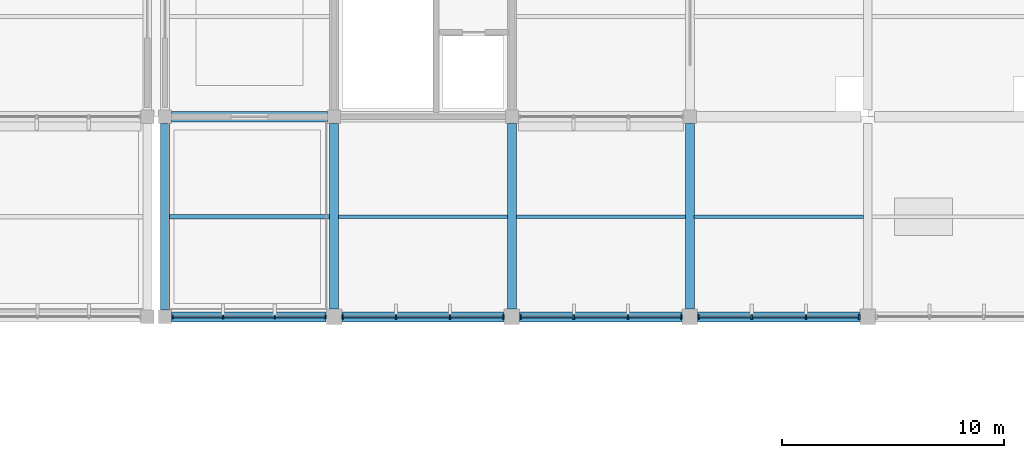
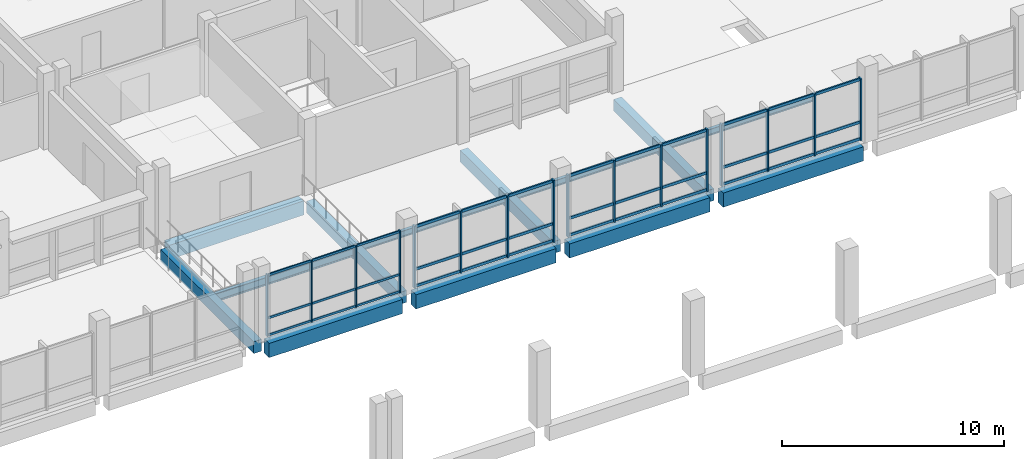
# One storey, part 37 of 70: 52 members, 13 beams, 4 elements without a shape of their own.
"""IFC4 building model written with IfcOpenShell, lengths in metres."""

from ifc_helpers import new_model, si_unit, direction, frame, origin, origin_2d, place, context, subcontext, project, spatial, rectangle, i_section, extrude, material, material_profile, profile_set, type_object, element, aggregate, save


model = new_model("IFC4")

# Units and contexts
model_context = context("Model", 3, precision=1e-05, world=origin(), true_north=direction((0.0, 1.0)))
body_context = subcontext(model_context, "Body", "Model", "MODEL_VIEW")
ifc_project = project(units=[si_unit("LENGTHUNIT", "METRE"), si_unit("AREAUNIT", "SQUARE_METRE"), si_unit("VOLUMEUNIT", "CUBIC_METRE"), si_unit("PLANEANGLEUNIT", "RADIAN"), si_unit("MASSUNIT", "GRAM", prefix="KILO"), si_unit("THERMODYNAMICTEMPERATUREUNIT", "KELVIN"), si_unit("POWERUNIT", "WATT")], contexts=[model_context])

# Site, building, storey
site_placement = place(None, origin())
site = spatial("IfcSite", under=ifc_project, at=site_placement, CompositionType="ELEMENT")
building_placement = place(site_placement, origin())
building = spatial("IfcBuilding", under=site, at=building_placement, Name="Kronsvod Quay Wholesale Market", CompositionType="ELEMENT")
storey_placement = place(building_placement, frame((0.0, 0.0, 9.0)))
storey = spatial("IfcBuildingStorey", under=building, at=storey_placement, Name="L02", CompositionType="ELEMENT", Elevation=9.0)

# Beams
ifc_material_1 = material(Name="Precast concrete C40/50", Category="concrete")
ifc_material_profile_1 = material_profile(ifc_material_1, rectangle(XDim=0.39990234375, YDim=0.64990234375, at=origin_2d()), Name="PCB400x650")
ifc_profile_set_1 = profile_set([ifc_material_profile_1], Name="Precast concrete C40/50")
beam_type_1 = type_object("IfcBeamType", Name="Beam_PCB400x650", PredefinedType="BEAM", material=ifc_profile_set_1)
beam_1_placement = place(storey_placement, frame((128.39990234375, 90.300048828125, -0.635009765625), z_axis=(0.0, 1.0, 0.0), x_axis=(-1.0, 0.0, 0.0)))
element("IfcBeam", 1, at=beam_1_placement, inside=storey, type_object=beam_type_1, Name="BMY-L02-1284-900", PredefinedType="BEAM", context=body_context, shape_type="SweptSolid", body=[
    extrude(rectangle(XDim=0.39990234375, YDim=0.64990234375, at=origin_2d()), origin(), (0.0, 0.0, 1.0), 8.39990234375),
])
for number, where, z_axis, x_axis, name in (
    (2, (136.0, 90.35009765625, -0.635009765625), (0.0, 1.0, 0.0), (-1.0, 0.0, 0.0), "BMY-L02-1360-900"),
    (3, (144.0, 90.35009765625, -0.635009765625), (0.0, 1.0, 0.0), (-1.0, 0.0, 0.0), "BMY-L02-1440-900"),
    (4, (152.0, 90.35009765625, -0.635009765625), (0.0, 1.0, 0.0), (-1.0, 0.0, 0.0), "BMY-L02-1520-900"),
):
    element("IfcBeam", number, at=place(storey_placement, frame(where, z_axis=z_axis, x_axis=x_axis)), inside=storey, type_object=beam_type_1, Name=name, PredefinedType="BEAM", context=body_context, shape_type="SweptSolid", body=[
        extrude(rectangle(XDim=0.39990234375, YDim=0.64990234375, at=origin_2d()), origin(), (0.0, 0.0, 1.0), 8.349853515625),
    ])
ifc_material_2 = material(Name="Precast concrete C40/50", Category="concrete")
ifc_material_profile_2 = material_profile(ifc_material_2, rectangle(XDim=0.4599609375, YDim=0.780029296875, at=origin_2d()), Name="PB-03")
ifc_profile_set_2 = profile_set([ifc_material_profile_2], Name="Precast concrete C40/50")
beam_type_2 = type_object("IfcBeamType", Name="Beam_PCB460x780", PredefinedType="BEAM", material=ifc_profile_set_2)
beam_2_placement = place(storey_placement, frame((128.699951171875, 90.0, -0.64990234375), z_axis=(1.0, 0.0, 0.0), x_axis=(0.0, 1.0, 0.0)))
element("IfcBeam", 5, at=beam_2_placement, inside=storey, type_object=beam_type_2, Name="BMX-L02-1284-900", PredefinedType="BEAM", context=body_context, shape_type="SweptSolid", body=[
    extrude(rectangle(XDim=0.4599609375, YDim=0.780029296875, at=origin_2d()), origin(), (0.0, 0.0, 1.0), 6.949951171875),
])
for number, where, z_axis, x_axis, name in (
    (6, (136.35009765625, 90.0, -0.64990234375), (1.0, 0.0, 0.0), (0.0, 1.0, 0.0), "BMX-L02-1360-900"),
    (7, (144.35009765625, 90.0, -0.64990234375), (1.0, 0.0, 0.0), (0.0, 1.0, 0.0), "BMX-L02-1440-900"),
    (8, (152.35009765625, 90.0, -0.64990234375), (1.0, 0.0, 0.0), (0.0, 1.0, 0.0), "BMX-L02-1520-900"),
):
    element("IfcBeam", number, at=place(storey_placement, frame(where, z_axis=z_axis, x_axis=x_axis)), inside=storey, type_object=beam_type_2, Name=name, PredefinedType="BEAM", context=body_context, shape_type="SweptSolid", body=[
        extrude(rectangle(XDim=0.4599609375, YDim=0.780029296875, at=origin_2d()), origin(), (0.0, 0.0, 1.0), 7.2998046875),
    ])
beam_3_placement = place(storey_placement, frame((128.699951171875, 99.0, -0.699951171875), z_axis=(1.0, 0.0, 0.0), x_axis=(0.0, 1.0, 0.0)))
element("IfcBeam", 9, at=beam_3_placement, inside=storey, type_object=beam_type_2, Name="BMX-L02-1284-990", PredefinedType="BEAM", context=body_context, shape_type="SweptSolid", body=[
    extrude(rectangle(XDim=0.4599609375, YDim=0.780029296875, at=origin_2d()), origin(), (0.0, 0.0, 1.0), 7.0),
])
ifc_material_3 = material(Name="Steel S355", Category="steel")
ifc_material_profile_3 = material_profile(ifc_material_3, i_section(OverallWidth=0.198974609375, OverallDepth=0.446044921875, WebThickness=0.008056640625, FlangeThickness=0.011962890625, FilletRadius=0.01806640625, at=origin_2d()), Name="45B1")
ifc_profile_set_3 = profile_set([ifc_material_profile_3], Name="Steel S355")
beam_type_3 = type_object("IfcBeamType", Name="Beam_Steel45B1", PredefinedType="BEAM", material=ifc_profile_set_3)
beam_4_placement = place(storey_placement, frame((128.594970703125, 94.5, -0.532958984375), z_axis=(1.0, 0.0, 0.0), x_axis=(0.0, 1.0, 0.0)))
element("IfcBeam", 10, at=beam_4_placement, inside=storey, type_object=beam_type_3, Name="JSTX-L02-1284-900", PredefinedType="BEAM", context=body_context, shape_type="SweptSolid", body=[
    extrude(i_section(OverallWidth=0.198974609375, OverallDepth=0.446044921875, WebThickness=0.008056640625, FlangeThickness=0.011962890625, FilletRadius=0.01806640625, at=origin_2d()), origin(), (0.0, 0.0, 1.0), 7.2099609375),
])
ifc_material_4 = material(Name="Steel S355", Category="steel")
ifc_material_profile_4 = material_profile(ifc_material_4, i_section(OverallWidth=0.174072265625, OverallDepth=0.345947265625, WebThickness=0.006103515625, FlangeThickness=0.009033203125, FilletRadius=0.013916015625, at=origin_2d()), Name="35B1")
ifc_profile_set_4 = profile_set([ifc_material_profile_4], Name="Steel S355")
beam_type_4 = type_object("IfcBeamType", Name="Joist_Steel35B1", PredefinedType="JOIST", material=ifc_profile_set_4)
for number, where, z_axis, x_axis, name in (
    (11, (136.195068359375, 94.5, -0.43310546875), (1.0, 0.0, 0.0), (0.0, 1.0, 0.0), "JSTX-L02-1360-900"),
    (12, (144.195068359375, 94.5, -0.43310546875), (1.0, 0.0, 0.0), (0.0, 1.0, 0.0), "JSTX-L02-1440-900"),
    (13, (152.195068359375, 94.5, -0.43310546875), (1.0, 0.0, 0.0), (0.0, 1.0, 0.0), "JSTX-L02-1520-900"),
):
    element("IfcBeam", number, at=place(storey_placement, frame(where, z_axis=z_axis, x_axis=x_axis)), inside=storey, type_object=beam_type_4, Name=name, PredefinedType="JOIST", context=body_context, shape_type="SweptSolid", body=[
        extrude(i_section(OverallWidth=0.174072265625, OverallDepth=0.345947265625, WebThickness=0.006103515625, FlangeThickness=0.009033203125, FilletRadius=0.013916015625, at=origin_2d()), origin(), (0.0, 0.0, 1.0), 7.60986328125),
    ])

# Curtain wall, members
ifc_material_5 = material(Name="Thermally broken aluminium and triple low-E glazing", Category="aluminium")
curtain_wall_type = type_object("IfcCurtainWallType", Name="CW_Clerestory80x32", PredefinedType="NOTDEFINED", material=ifc_material_5)
curtain_wall_1_placement = place(storey_placement, origin())
curtain_wall_1 = element("IfcCurtainWall", 14, at=curtain_wall_1_placement, inside=storey, type_object=curtain_wall_type, Name="CWGX-L02-1284-900", PredefinedType="NOTDEFINED")
ifc_material_6 = material(Name="Anodised aluminium", Category="aluminium")
ifc_material_profile_5 = material_profile(ifc_material_6, rectangle(XDim=0.06494140625, YDim=0.159912109375, at=origin_2d()), Name="ALUM65x160")
ifc_profile_set_5 = profile_set([ifc_material_profile_5], Name="Anodised aluminium")
member_type_1 = type_object("IfcMemberType", Name="Mullion_ALU65x160", PredefinedType="MULLION", material=ifc_profile_set_5)
member_1_placement = place(storey_placement, frame((135.62255859375, 90.0, 0.0), z_axis=(0.0, 0.0, 1.0), x_axis=(1.0, 0.0, 0.0)))
member_1 = element("IfcMember", 15, at=member_1_placement, type_object=member_type_1, Name="CWGX-L02-1284-900-M1", PredefinedType="MULLION", context=body_context, shape_type="SweptSolid", body=[
    extrude(rectangle(XDim=0.06494140625, YDim=0.159912109375, at=origin_2d()), origin(), (0.0, 0.0, 1.0), 3.419921875),
])
member_2_placement = place(storey_placement, frame((133.3349609375, 90.0, 0.0), z_axis=(0.0, 0.0, 1.0), x_axis=(1.0, 0.0, 0.0)))
member_2 = element("IfcMember", 16, at=member_2_placement, type_object=member_type_1, Name="CWGX-L02-1284-900-M2", PredefinedType="MULLION", context=body_context, shape_type="SweptSolid", body=[
    extrude(rectangle(XDim=0.06494140625, YDim=0.159912109375, at=origin_2d()), origin(), (0.0, 0.0, 1.0), 3.419921875),
])
member_3_placement = place(storey_placement, frame((131.014892578125, 90.0, 0.0), z_axis=(0.0, 0.0, 1.0), x_axis=(1.0, 0.0, 0.0)))
member_3 = element("IfcMember", 17, at=member_3_placement, type_object=member_type_1, Name="CWGX-L02-1284-900-M3", PredefinedType="MULLION", context=body_context, shape_type="SweptSolid", body=[
    extrude(rectangle(XDim=0.06494140625, YDim=0.159912109375, at=origin_2d()), origin(), (0.0, 0.0, 1.0), 3.419921875),
])
member_4_placement = place(storey_placement, frame((128.7275390625, 90.0, 0.0), z_axis=(0.0, 0.0, 1.0), x_axis=(1.0, 0.0, 0.0)))
member_4 = element("IfcMember", 18, at=member_4_placement, type_object=member_type_1, Name="CWGX-L02-1284-900-M4", PredefinedType="MULLION", context=body_context, shape_type="SweptSolid", body=[
    extrude(rectangle(XDim=0.06494140625, YDim=0.159912109375, at=origin_2d()), origin(), (0.0, 0.0, 1.0), 3.419921875),
])

curtain_wall_2_placement = place(storey_placement, origin())
curtain_wall_2 = element("IfcCurtainWall", 19, at=curtain_wall_2_placement, inside=storey, type_object=curtain_wall_type, Name="CWGX-L02-1360-900", PredefinedType="NOTDEFINED")
ifc_material_7 = material(Name="Anodised aluminium", Category="aluminium")
ifc_material_profile_6 = material_profile(ifc_material_7, rectangle(XDim=0.074951171875, YDim=0.199951171875, at=origin_2d()), Name="ALUM75x200")
ifc_profile_set_6 = profile_set([ifc_material_profile_6], Name="Anodised aluminium")
member_type_2 = type_object("IfcMemberType", Name="Mullion_ALU75x200", PredefinedType="MULLION", material=ifc_profile_set_6)
member_5_placement = place(storey_placement, frame((143.617431640625, 90.0, 0.0), z_axis=(0.0, 0.0, 1.0), x_axis=(1.0, 0.0, 0.0)))
member_5 = element("IfcMember", 20, at=member_5_placement, type_object=member_type_2, Name="CWGX-L02-1360-900-M1", PredefinedType="MULLION", context=body_context, shape_type="SweptSolid", body=[
    extrude(rectangle(XDim=0.074951171875, YDim=0.199951171875, at=origin_2d()), origin(), (0.0, 0.0, 1.0), 3.419921875),
])
member_6_placement = place(storey_placement, frame((141.21826171875, 90.0, 0.0), z_axis=(0.0, 0.0, 1.0), x_axis=(1.0, 0.0, 0.0)))
member_6 = element("IfcMember", 21, at=member_6_placement, type_object=member_type_2, Name="CWGX-L02-1360-900-M2", PredefinedType="MULLION", context=body_context, shape_type="SweptSolid", body=[
    extrude(rectangle(XDim=0.074951171875, YDim=0.199951171875, at=origin_2d()), origin(), (0.0, 0.0, 1.0), 3.419921875),
])
member_7_placement = place(storey_placement, frame((138.78173828125, 90.0, 0.0), z_axis=(0.0, 0.0, 1.0), x_axis=(1.0, 0.0, 0.0)))
member_7 = element("IfcMember", 22, at=member_7_placement, type_object=member_type_2, Name="CWGX-L02-1360-900-M3", PredefinedType="MULLION", context=body_context, shape_type="SweptSolid", body=[
    extrude(rectangle(XDim=0.074951171875, YDim=0.199951171875, at=origin_2d()), origin(), (0.0, 0.0, 1.0), 3.419921875),
])
member_8_placement = place(storey_placement, frame((136.382568359375, 90.0, 0.0), z_axis=(0.0, 0.0, 1.0), x_axis=(1.0, 0.0, 0.0)))
member_8 = element("IfcMember", 23, at=member_8_placement, type_object=member_type_2, Name="CWGX-L02-1360-900-M4", PredefinedType="MULLION", context=body_context, shape_type="SweptSolid", body=[
    extrude(rectangle(XDim=0.074951171875, YDim=0.199951171875, at=origin_2d()), origin(), (0.0, 0.0, 1.0), 3.419921875),
])

curtain_wall_3_placement = place(storey_placement, origin())
curtain_wall_3 = element("IfcCurtainWall", 24, at=curtain_wall_3_placement, inside=storey, type_object=curtain_wall_type, Name="CWGX-L02-1440-900", PredefinedType="NOTDEFINED")
member_9_placement = place(storey_placement, frame((151.617431640625, 90.0, 0.0), z_axis=(0.0, 0.0, 1.0), x_axis=(1.0, 0.0, 0.0)))
member_9 = element("IfcMember", 25, at=member_9_placement, type_object=member_type_2, Name="CWGX-L02-1440-900-M1", PredefinedType="MULLION", context=body_context, shape_type="SweptSolid", body=[
    extrude(rectangle(XDim=0.074951171875, YDim=0.199951171875, at=origin_2d()), origin(), (0.0, 0.0, 1.0), 3.419921875),
])
member_10_placement = place(storey_placement, frame((149.21826171875, 90.0, 0.0), z_axis=(0.0, 0.0, 1.0), x_axis=(1.0, 0.0, 0.0)))
member_10 = element("IfcMember", 26, at=member_10_placement, type_object=member_type_2, Name="CWGX-L02-1440-900-M2", PredefinedType="MULLION", context=body_context, shape_type="SweptSolid", body=[
    extrude(rectangle(XDim=0.074951171875, YDim=0.199951171875, at=origin_2d()), origin(), (0.0, 0.0, 1.0), 3.419921875),
])
member_11_placement = place(storey_placement, frame((146.78173828125, 90.0, 0.0), z_axis=(0.0, 0.0, 1.0), x_axis=(1.0, 0.0, 0.0)))
member_11 = element("IfcMember", 27, at=member_11_placement, type_object=member_type_2, Name="CWGX-L02-1440-900-M3", PredefinedType="MULLION", context=body_context, shape_type="SweptSolid", body=[
    extrude(rectangle(XDim=0.074951171875, YDim=0.199951171875, at=origin_2d()), origin(), (0.0, 0.0, 1.0), 3.419921875),
])
member_12_placement = place(storey_placement, frame((144.382568359375, 90.0, 0.0), z_axis=(0.0, 0.0, 1.0), x_axis=(1.0, 0.0, 0.0)))
member_12 = element("IfcMember", 28, at=member_12_placement, type_object=member_type_2, Name="CWGX-L02-1440-900-M4", PredefinedType="MULLION", context=body_context, shape_type="SweptSolid", body=[
    extrude(rectangle(XDim=0.074951171875, YDim=0.199951171875, at=origin_2d()), origin(), (0.0, 0.0, 1.0), 3.419921875),
])

curtain_wall_4_placement = place(storey_placement, origin())
curtain_wall_4 = element("IfcCurtainWall", 29, at=curtain_wall_4_placement, inside=storey, type_object=curtain_wall_type, Name="CWGX-L02-1520-900", PredefinedType="NOTDEFINED")
member_13_placement = place(storey_placement, frame((159.617431640625, 90.0, 0.0), z_axis=(0.0, 0.0, 1.0), x_axis=(1.0, 0.0, 0.0)))
member_13 = element("IfcMember", 30, at=member_13_placement, type_object=member_type_2, Name="CWGX-L02-1520-900-M1", PredefinedType="MULLION", context=body_context, shape_type="SweptSolid", body=[
    extrude(rectangle(XDim=0.074951171875, YDim=0.199951171875, at=origin_2d()), origin(), (0.0, 0.0, 1.0), 3.419921875),
])
member_14_placement = place(storey_placement, frame((157.21826171875, 90.0, 0.0), z_axis=(0.0, 0.0, 1.0), x_axis=(1.0, 0.0, 0.0)))
member_14 = element("IfcMember", 31, at=member_14_placement, type_object=member_type_2, Name="CWGX-L02-1520-900-M2", PredefinedType="MULLION", context=body_context, shape_type="SweptSolid", body=[
    extrude(rectangle(XDim=0.074951171875, YDim=0.199951171875, at=origin_2d()), origin(), (0.0, 0.0, 1.0), 3.419921875),
])
member_15_placement = place(storey_placement, frame((154.78173828125, 90.0, 0.0), z_axis=(0.0, 0.0, 1.0), x_axis=(1.0, 0.0, 0.0)))
member_15 = element("IfcMember", 32, at=member_15_placement, type_object=member_type_2, Name="CWGX-L02-1520-900-M3", PredefinedType="MULLION", context=body_context, shape_type="SweptSolid", body=[
    extrude(rectangle(XDim=0.074951171875, YDim=0.199951171875, at=origin_2d()), origin(), (0.0, 0.0, 1.0), 3.419921875),
])
member_16_placement = place(storey_placement, frame((152.382568359375, 90.0, 0.0), z_axis=(0.0, 0.0, 1.0), x_axis=(1.0, 0.0, 0.0)))
member_16 = element("IfcMember", 33, at=member_16_placement, type_object=member_type_2, Name="CWGX-L02-1520-900-M4", PredefinedType="MULLION", context=body_context, shape_type="SweptSolid", body=[
    extrude(rectangle(XDim=0.074951171875, YDim=0.199951171875, at=origin_2d()), origin(), (0.0, 0.0, 1.0), 3.419921875),
])

# Member
ifc_material_8 = material(Name="Anodised aluminium", Category="aluminium")
ifc_material_profile_7 = material_profile(ifc_material_8, rectangle(XDim=0.06494140625, YDim=0.1201171875, at=origin_2d()), Name="ALUT65x120")
ifc_profile_set_7 = profile_set([ifc_material_profile_7], Name="Anodised aluminium")
member_type_3 = type_object("IfcMemberType", Name="Transom_ALU65x120", PredefinedType="USERDEFINED", material=ifc_profile_set_7)
member_17_placement = place(storey_placement, frame((135.590087890625, 90.0, 0.06005859375), z_axis=(-1.0, 0.0, 0.0), x_axis=(0.0, -1.0, 0.0)))
member_17 = element("IfcMember", 34, at=member_17_placement, type_object=member_type_3, Name="CWGX-L02-1284-900-T1B1", ObjectType="TRANSOM", PredefinedType="USERDEFINED", context=body_context, shape_type="SweptSolid", body=[
    extrude(rectangle(XDim=0.06494140625, YDim=0.1201171875, at=origin_2d()), origin(), (0.0, 0.0, 1.0), 2.22265625),
])

member_18_placement = place(storey_placement, frame((133.302490234375, 90.0, 0.06005859375), z_axis=(-1.0, 0.0, 0.0), x_axis=(0.0, -1.0, 0.0)))
member_18 = element("IfcMember", 35, at=member_18_placement, type_object=member_type_3, Name="CWGX-L02-1284-900-T1B2", ObjectType="TRANSOM", PredefinedType="USERDEFINED", context=body_context, shape_type="SweptSolid", body=[
    extrude(rectangle(XDim=0.06494140625, YDim=0.1201171875, at=origin_2d()), origin(), (0.0, 0.0, 1.0), 2.2548828125),
])

member_19_placement = place(storey_placement, frame((130.982421875, 90.0, 0.06005859375), z_axis=(-1.0, 0.0, 0.0), x_axis=(0.0, -1.0, 0.0)))
member_19 = element("IfcMember", 36, at=member_19_placement, type_object=member_type_3, Name="CWGX-L02-1284-900-T1B3", ObjectType="TRANSOM", PredefinedType="USERDEFINED", context=body_context, shape_type="SweptSolid", body=[
    extrude(rectangle(XDim=0.06494140625, YDim=0.1201171875, at=origin_2d()), origin(), (0.0, 0.0, 1.0), 2.222412109375),
])

member_20_placement = place(storey_placement, frame((135.590087890625, 90.0, 1.0), z_axis=(-1.0, 0.0, 0.0), x_axis=(0.0, -1.0, 0.0)))
member_20 = element("IfcMember", 37, at=member_20_placement, type_object=member_type_3, Name="CWGX-L02-1284-900-T2B1", ObjectType="TRANSOM", PredefinedType="USERDEFINED", context=body_context, shape_type="SweptSolid", body=[
    extrude(rectangle(XDim=0.06494140625, YDim=0.1201171875, at=origin_2d()), origin(), (0.0, 0.0, 1.0), 2.22265625),
])

member_21_placement = place(storey_placement, frame((133.302490234375, 90.0, 1.0), z_axis=(-1.0, 0.0, 0.0), x_axis=(0.0, -1.0, 0.0)))
member_21 = element("IfcMember", 38, at=member_21_placement, type_object=member_type_3, Name="CWGX-L02-1284-900-T2B2", ObjectType="TRANSOM", PredefinedType="USERDEFINED", context=body_context, shape_type="SweptSolid", body=[
    extrude(rectangle(XDim=0.06494140625, YDim=0.1201171875, at=origin_2d()), origin(), (0.0, 0.0, 1.0), 2.2548828125),
])

member_22_placement = place(storey_placement, frame((130.982421875, 90.0, 1.0), z_axis=(-1.0, 0.0, 0.0), x_axis=(0.0, -1.0, 0.0)))
member_22 = element("IfcMember", 39, at=member_22_placement, type_object=member_type_3, Name="CWGX-L02-1284-900-T2B3", ObjectType="TRANSOM", PredefinedType="USERDEFINED", context=body_context, shape_type="SweptSolid", body=[
    extrude(rectangle(XDim=0.06494140625, YDim=0.1201171875, at=origin_2d()), origin(), (0.0, 0.0, 1.0), 2.222412109375),
])

member_23_placement = place(storey_placement, frame((135.590087890625, 90.0, 3.360107421875), z_axis=(-1.0, 0.0, 0.0), x_axis=(0.0, -1.0, 0.0)))
member_23 = element("IfcMember", 40, at=member_23_placement, type_object=member_type_3, Name="CWGX-L02-1284-900-T3B1", ObjectType="TRANSOM", PredefinedType="USERDEFINED", context=body_context, shape_type="SweptSolid", body=[
    extrude(rectangle(XDim=0.06494140625, YDim=0.1201171875, at=origin_2d()), origin(), (0.0, 0.0, 1.0), 2.22265625),
])

member_24_placement = place(storey_placement, frame((133.302490234375, 90.0, 3.360107421875), z_axis=(-1.0, 0.0, 0.0), x_axis=(0.0, -1.0, 0.0)))
member_24 = element("IfcMember", 41, at=member_24_placement, type_object=member_type_3, Name="CWGX-L02-1284-900-T3B2", ObjectType="TRANSOM", PredefinedType="USERDEFINED", context=body_context, shape_type="SweptSolid", body=[
    extrude(rectangle(XDim=0.06494140625, YDim=0.1201171875, at=origin_2d()), origin(), (0.0, 0.0, 1.0), 2.2548828125),
])

member_25_placement = place(storey_placement, frame((130.982421875, 90.0, 3.360107421875), z_axis=(-1.0, 0.0, 0.0), x_axis=(0.0, -1.0, 0.0)))
member_25 = element("IfcMember", 42, at=member_25_placement, type_object=member_type_3, Name="CWGX-L02-1284-900-T3B3", ObjectType="TRANSOM", PredefinedType="USERDEFINED", context=body_context, shape_type="SweptSolid", body=[
    extrude(rectangle(XDim=0.06494140625, YDim=0.1201171875, at=origin_2d()), origin(), (0.0, 0.0, 1.0), 2.222412109375),
])

aggregate(curtain_wall_1, [member_1, member_2, member_3, member_4, member_17, member_18, member_19, member_20, member_21, member_22, member_23, member_24, member_25])

ifc_material_9 = material(Name="Anodised aluminium", Category="aluminium")
ifc_material_profile_8 = material_profile(ifc_material_9, rectangle(XDim=0.074951171875, YDim=0.14990234375, at=origin_2d()), Name="ALUT75x150")
ifc_profile_set_8 = profile_set([ifc_material_profile_8], Name="Anodised aluminium")
member_type_4 = type_object("IfcMemberType", Name="Transom_ALU75x150", PredefinedType="USERDEFINED", material=ifc_profile_set_8)
member_26_placement = place(storey_placement, frame((143.580078125, 90.0, 0.074951171875), z_axis=(-1.0, 0.0, 0.0), x_axis=(0.0, -1.0, 0.0)))
member_26 = element("IfcMember", 43, at=member_26_placement, type_object=member_type_4, Name="CWGX-L02-1360-900-T1B1", ObjectType="TRANSOM", PredefinedType="USERDEFINED", context=body_context, shape_type="SweptSolid", body=[
    extrude(rectangle(XDim=0.074951171875, YDim=0.14990234375, at=origin_2d()), origin(), (0.0, 0.0, 1.0), 2.32421875),
])

member_27_placement = place(storey_placement, frame((141.180908203125, 90.0, 0.074951171875), z_axis=(-1.0, 0.0, 0.0), x_axis=(0.0, -1.0, 0.0)))
member_27 = element("IfcMember", 44, at=member_27_placement, type_object=member_type_4, Name="CWGX-L02-1360-900-T1B2", ObjectType="TRANSOM", PredefinedType="USERDEFINED", context=body_context, shape_type="SweptSolid", body=[
    extrude(rectangle(XDim=0.074951171875, YDim=0.14990234375, at=origin_2d()), origin(), (0.0, 0.0, 1.0), 2.36181640625),
])

member_28_placement = place(storey_placement, frame((138.744140625, 90.0, 0.074951171875), z_axis=(-1.0, 0.0, 0.0), x_axis=(0.0, -1.0, 0.0)))
member_28 = element("IfcMember", 45, at=member_28_placement, type_object=member_type_4, Name="CWGX-L02-1360-900-T1B3", ObjectType="TRANSOM", PredefinedType="USERDEFINED", context=body_context, shape_type="SweptSolid", body=[
    extrude(rectangle(XDim=0.074951171875, YDim=0.14990234375, at=origin_2d()), origin(), (0.0, 0.0, 1.0), 2.32421875),
])

member_29_placement = place(storey_placement, frame((143.580078125, 90.0, 1.0), z_axis=(-1.0, 0.0, 0.0), x_axis=(0.0, -1.0, 0.0)))
member_29 = element("IfcMember", 46, at=member_29_placement, type_object=member_type_4, Name="CWGX-L02-1360-900-T2B1", ObjectType="TRANSOM", PredefinedType="USERDEFINED", context=body_context, shape_type="SweptSolid", body=[
    extrude(rectangle(XDim=0.074951171875, YDim=0.14990234375, at=origin_2d()), origin(), (0.0, 0.0, 1.0), 2.32421875),
])

member_30_placement = place(storey_placement, frame((141.180908203125, 90.0, 1.0), z_axis=(-1.0, 0.0, 0.0), x_axis=(0.0, -1.0, 0.0)))
member_30 = element("IfcMember", 47, at=member_30_placement, type_object=member_type_4, Name="CWGX-L02-1360-900-T2B2", ObjectType="TRANSOM", PredefinedType="USERDEFINED", context=body_context, shape_type="SweptSolid", body=[
    extrude(rectangle(XDim=0.074951171875, YDim=0.14990234375, at=origin_2d()), origin(), (0.0, 0.0, 1.0), 2.36181640625),
])

member_31_placement = place(storey_placement, frame((138.744140625, 90.0, 1.0), z_axis=(-1.0, 0.0, 0.0), x_axis=(0.0, -1.0, 0.0)))
member_31 = element("IfcMember", 48, at=member_31_placement, type_object=member_type_4, Name="CWGX-L02-1360-900-T2B3", ObjectType="TRANSOM", PredefinedType="USERDEFINED", context=body_context, shape_type="SweptSolid", body=[
    extrude(rectangle(XDim=0.074951171875, YDim=0.14990234375, at=origin_2d()), origin(), (0.0, 0.0, 1.0), 2.32421875),
])

member_32_placement = place(storey_placement, frame((143.580078125, 90.0, 3.344970703125), z_axis=(-1.0, 0.0, 0.0), x_axis=(0.0, -1.0, 0.0)))
member_32 = element("IfcMember", 49, at=member_32_placement, type_object=member_type_4, Name="CWGX-L02-1360-900-T3B1", ObjectType="TRANSOM", PredefinedType="USERDEFINED", context=body_context, shape_type="SweptSolid", body=[
    extrude(rectangle(XDim=0.074951171875, YDim=0.14990234375, at=origin_2d()), origin(), (0.0, 0.0, 1.0), 2.32421875),
])

member_33_placement = place(storey_placement, frame((141.180908203125, 90.0, 3.344970703125), z_axis=(-1.0, 0.0, 0.0), x_axis=(0.0, -1.0, 0.0)))
member_33 = element("IfcMember", 50, at=member_33_placement, type_object=member_type_4, Name="CWGX-L02-1360-900-T3B2", ObjectType="TRANSOM", PredefinedType="USERDEFINED", context=body_context, shape_type="SweptSolid", body=[
    extrude(rectangle(XDim=0.074951171875, YDim=0.14990234375, at=origin_2d()), origin(), (0.0, 0.0, 1.0), 2.36181640625),
])

member_34_placement = place(storey_placement, frame((138.744140625, 90.0, 3.344970703125), z_axis=(-1.0, 0.0, 0.0), x_axis=(0.0, -1.0, 0.0)))
member_34 = element("IfcMember", 51, at=member_34_placement, type_object=member_type_4, Name="CWGX-L02-1360-900-T3B3", ObjectType="TRANSOM", PredefinedType="USERDEFINED", context=body_context, shape_type="SweptSolid", body=[
    extrude(rectangle(XDim=0.074951171875, YDim=0.14990234375, at=origin_2d()), origin(), (0.0, 0.0, 1.0), 2.32421875),
])

aggregate(curtain_wall_2, [member_5, member_6, member_7, member_8, member_26, member_27, member_28, member_29, member_30, member_31, member_32, member_33, member_34])

member_35_placement = place(storey_placement, frame((151.580078125, 90.0, 0.074951171875), z_axis=(-1.0, 0.0, 0.0), x_axis=(0.0, -1.0, 0.0)))
member_35 = element("IfcMember", 52, at=member_35_placement, type_object=member_type_4, Name="CWGX-L02-1440-900-T1B1", ObjectType="TRANSOM", PredefinedType="USERDEFINED", context=body_context, shape_type="SweptSolid", body=[
    extrude(rectangle(XDim=0.074951171875, YDim=0.14990234375, at=origin_2d()), origin(), (0.0, 0.0, 1.0), 2.32421875),
])

member_36_placement = place(storey_placement, frame((149.180908203125, 90.0, 0.074951171875), z_axis=(-1.0, 0.0, 0.0), x_axis=(0.0, -1.0, 0.0)))
member_36 = element("IfcMember", 53, at=member_36_placement, type_object=member_type_4, Name="CWGX-L02-1440-900-T1B2", ObjectType="TRANSOM", PredefinedType="USERDEFINED", context=body_context, shape_type="SweptSolid", body=[
    extrude(rectangle(XDim=0.074951171875, YDim=0.14990234375, at=origin_2d()), origin(), (0.0, 0.0, 1.0), 2.36181640625),
])

member_37_placement = place(storey_placement, frame((146.744140625, 90.0, 0.074951171875), z_axis=(-1.0, 0.0, 0.0), x_axis=(0.0, -1.0, 0.0)))
member_37 = element("IfcMember", 54, at=member_37_placement, type_object=member_type_4, Name="CWGX-L02-1440-900-T1B3", ObjectType="TRANSOM", PredefinedType="USERDEFINED", context=body_context, shape_type="SweptSolid", body=[
    extrude(rectangle(XDim=0.074951171875, YDim=0.14990234375, at=origin_2d()), origin(), (0.0, 0.0, 1.0), 2.32421875),
])

member_38_placement = place(storey_placement, frame((151.580078125, 90.0, 1.0), z_axis=(-1.0, 0.0, 0.0), x_axis=(0.0, -1.0, 0.0)))
member_38 = element("IfcMember", 55, at=member_38_placement, type_object=member_type_4, Name="CWGX-L02-1440-900-T2B1", ObjectType="TRANSOM", PredefinedType="USERDEFINED", context=body_context, shape_type="SweptSolid", body=[
    extrude(rectangle(XDim=0.074951171875, YDim=0.14990234375, at=origin_2d()), origin(), (0.0, 0.0, 1.0), 2.32421875),
])

member_39_placement = place(storey_placement, frame((149.180908203125, 90.0, 1.0), z_axis=(-1.0, 0.0, 0.0), x_axis=(0.0, -1.0, 0.0)))
member_39 = element("IfcMember", 56, at=member_39_placement, type_object=member_type_4, Name="CWGX-L02-1440-900-T2B2", ObjectType="TRANSOM", PredefinedType="USERDEFINED", context=body_context, shape_type="SweptSolid", body=[
    extrude(rectangle(XDim=0.074951171875, YDim=0.14990234375, at=origin_2d()), origin(), (0.0, 0.0, 1.0), 2.36181640625),
])

member_40_placement = place(storey_placement, frame((146.744140625, 90.0, 1.0), z_axis=(-1.0, 0.0, 0.0), x_axis=(0.0, -1.0, 0.0)))
member_40 = element("IfcMember", 57, at=member_40_placement, type_object=member_type_4, Name="CWGX-L02-1440-900-T2B3", ObjectType="TRANSOM", PredefinedType="USERDEFINED", context=body_context, shape_type="SweptSolid", body=[
    extrude(rectangle(XDim=0.074951171875, YDim=0.14990234375, at=origin_2d()), origin(), (0.0, 0.0, 1.0), 2.32421875),
])

member_41_placement = place(storey_placement, frame((151.580078125, 90.0, 3.344970703125), z_axis=(-1.0, 0.0, 0.0), x_axis=(0.0, -1.0, 0.0)))
member_41 = element("IfcMember", 58, at=member_41_placement, type_object=member_type_4, Name="CWGX-L02-1440-900-T3B1", ObjectType="TRANSOM", PredefinedType="USERDEFINED", context=body_context, shape_type="SweptSolid", body=[
    extrude(rectangle(XDim=0.074951171875, YDim=0.14990234375, at=origin_2d()), origin(), (0.0, 0.0, 1.0), 2.32421875),
])

member_42_placement = place(storey_placement, frame((149.180908203125, 90.0, 3.344970703125), z_axis=(-1.0, 0.0, 0.0), x_axis=(0.0, -1.0, 0.0)))
member_42 = element("IfcMember", 59, at=member_42_placement, type_object=member_type_4, Name="CWGX-L02-1440-900-T3B2", ObjectType="TRANSOM", PredefinedType="USERDEFINED", context=body_context, shape_type="SweptSolid", body=[
    extrude(rectangle(XDim=0.074951171875, YDim=0.14990234375, at=origin_2d()), origin(), (0.0, 0.0, 1.0), 2.36181640625),
])

member_43_placement = place(storey_placement, frame((146.744140625, 90.0, 3.344970703125), z_axis=(-1.0, 0.0, 0.0), x_axis=(0.0, -1.0, 0.0)))
member_43 = element("IfcMember", 60, at=member_43_placement, type_object=member_type_4, Name="CWGX-L02-1440-900-T3B3", ObjectType="TRANSOM", PredefinedType="USERDEFINED", context=body_context, shape_type="SweptSolid", body=[
    extrude(rectangle(XDim=0.074951171875, YDim=0.14990234375, at=origin_2d()), origin(), (0.0, 0.0, 1.0), 2.32421875),
])

aggregate(curtain_wall_3, [member_9, member_10, member_11, member_12, member_35, member_36, member_37, member_38, member_39, member_40, member_41, member_42, member_43])

member_44_placement = place(storey_placement, frame((159.580078125, 90.0, 0.074951171875), z_axis=(-1.0, 0.0, 0.0), x_axis=(0.0, -1.0, 0.0)))
member_44 = element("IfcMember", 61, at=member_44_placement, type_object=member_type_4, Name="CWGX-L02-1520-900-T1B1", ObjectType="TRANSOM", PredefinedType="USERDEFINED", context=body_context, shape_type="SweptSolid", body=[
    extrude(rectangle(XDim=0.074951171875, YDim=0.14990234375, at=origin_2d()), origin(), (0.0, 0.0, 1.0), 2.32421875),
])

member_45_placement = place(storey_placement, frame((157.180908203125, 90.0, 0.074951171875), z_axis=(-1.0, 0.0, 0.0), x_axis=(0.0, -1.0, 0.0)))
member_45 = element("IfcMember", 62, at=member_45_placement, type_object=member_type_4, Name="CWGX-L02-1520-900-T1B2", ObjectType="TRANSOM", PredefinedType="USERDEFINED", context=body_context, shape_type="SweptSolid", body=[
    extrude(rectangle(XDim=0.074951171875, YDim=0.14990234375, at=origin_2d()), origin(), (0.0, 0.0, 1.0), 2.36181640625),
])

member_46_placement = place(storey_placement, frame((154.744140625, 90.0, 0.074951171875), z_axis=(-1.0, 0.0, 0.0), x_axis=(0.0, -1.0, 0.0)))
member_46 = element("IfcMember", 63, at=member_46_placement, type_object=member_type_4, Name="CWGX-L02-1520-900-T1B3", ObjectType="TRANSOM", PredefinedType="USERDEFINED", context=body_context, shape_type="SweptSolid", body=[
    extrude(rectangle(XDim=0.074951171875, YDim=0.14990234375, at=origin_2d()), origin(), (0.0, 0.0, 1.0), 2.32421875),
])

member_47_placement = place(storey_placement, frame((159.580078125, 90.0, 1.0), z_axis=(-1.0, 0.0, 0.0), x_axis=(0.0, -1.0, 0.0)))
member_47 = element("IfcMember", 64, at=member_47_placement, type_object=member_type_4, Name="CWGX-L02-1520-900-T2B1", ObjectType="TRANSOM", PredefinedType="USERDEFINED", context=body_context, shape_type="SweptSolid", body=[
    extrude(rectangle(XDim=0.074951171875, YDim=0.14990234375, at=origin_2d()), origin(), (0.0, 0.0, 1.0), 2.32421875),
])

member_48_placement = place(storey_placement, frame((157.180908203125, 90.0, 1.0), z_axis=(-1.0, 0.0, 0.0), x_axis=(0.0, -1.0, 0.0)))
member_48 = element("IfcMember", 65, at=member_48_placement, type_object=member_type_4, Name="CWGX-L02-1520-900-T2B2", ObjectType="TRANSOM", PredefinedType="USERDEFINED", context=body_context, shape_type="SweptSolid", body=[
    extrude(rectangle(XDim=0.074951171875, YDim=0.14990234375, at=origin_2d()), origin(), (0.0, 0.0, 1.0), 2.36181640625),
])

member_49_placement = place(storey_placement, frame((154.744140625, 90.0, 1.0), z_axis=(-1.0, 0.0, 0.0), x_axis=(0.0, -1.0, 0.0)))
member_49 = element("IfcMember", 66, at=member_49_placement, type_object=member_type_4, Name="CWGX-L02-1520-900-T2B3", ObjectType="TRANSOM", PredefinedType="USERDEFINED", context=body_context, shape_type="SweptSolid", body=[
    extrude(rectangle(XDim=0.074951171875, YDim=0.14990234375, at=origin_2d()), origin(), (0.0, 0.0, 1.0), 2.32421875),
])

member_50_placement = place(storey_placement, frame((159.580078125, 90.0, 3.344970703125), z_axis=(-1.0, 0.0, 0.0), x_axis=(0.0, -1.0, 0.0)))
member_50 = element("IfcMember", 67, at=member_50_placement, type_object=member_type_4, Name="CWGX-L02-1520-900-T3B1", ObjectType="TRANSOM", PredefinedType="USERDEFINED", context=body_context, shape_type="SweptSolid", body=[
    extrude(rectangle(XDim=0.074951171875, YDim=0.14990234375, at=origin_2d()), origin(), (0.0, 0.0, 1.0), 2.32421875),
])

member_51_placement = place(storey_placement, frame((157.180908203125, 90.0, 3.344970703125), z_axis=(-1.0, 0.0, 0.0), x_axis=(0.0, -1.0, 0.0)))
member_51 = element("IfcMember", 68, at=member_51_placement, type_object=member_type_4, Name="CWGX-L02-1520-900-T3B2", ObjectType="TRANSOM", PredefinedType="USERDEFINED", context=body_context, shape_type="SweptSolid", body=[
    extrude(rectangle(XDim=0.074951171875, YDim=0.14990234375, at=origin_2d()), origin(), (0.0, 0.0, 1.0), 2.36181640625),
])

member_52_placement = place(storey_placement, frame((154.744140625, 90.0, 3.344970703125), z_axis=(-1.0, 0.0, 0.0), x_axis=(0.0, -1.0, 0.0)))
member_52 = element("IfcMember", 69, at=member_52_placement, type_object=member_type_4, Name="CWGX-L02-1520-900-T3B3", ObjectType="TRANSOM", PredefinedType="USERDEFINED", context=body_context, shape_type="SweptSolid", body=[
    extrude(rectangle(XDim=0.074951171875, YDim=0.14990234375, at=origin_2d()), origin(), (0.0, 0.0, 1.0), 2.32421875),
])

aggregate(curtain_wall_4, [member_13, member_14, member_15, member_16, member_44, member_45, member_46, member_47, member_48, member_49, member_50, member_51, member_52])

save(model, "model.ifc")
